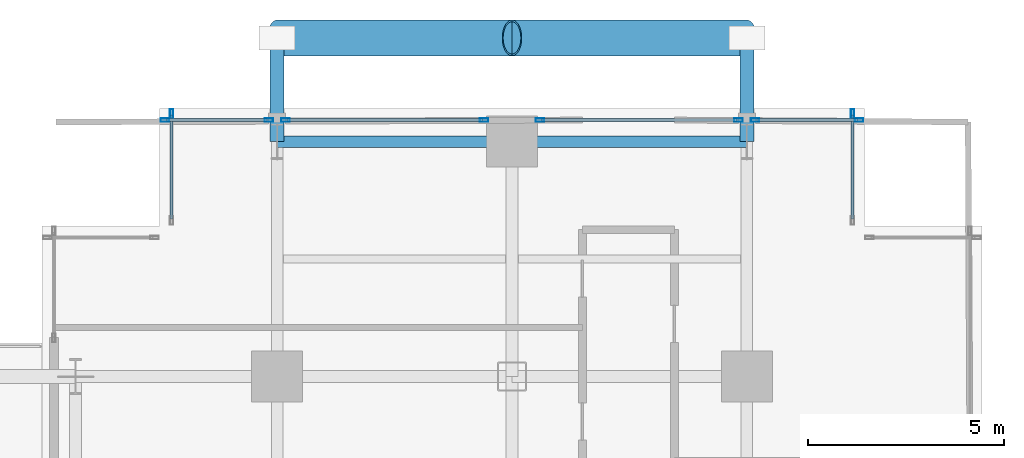
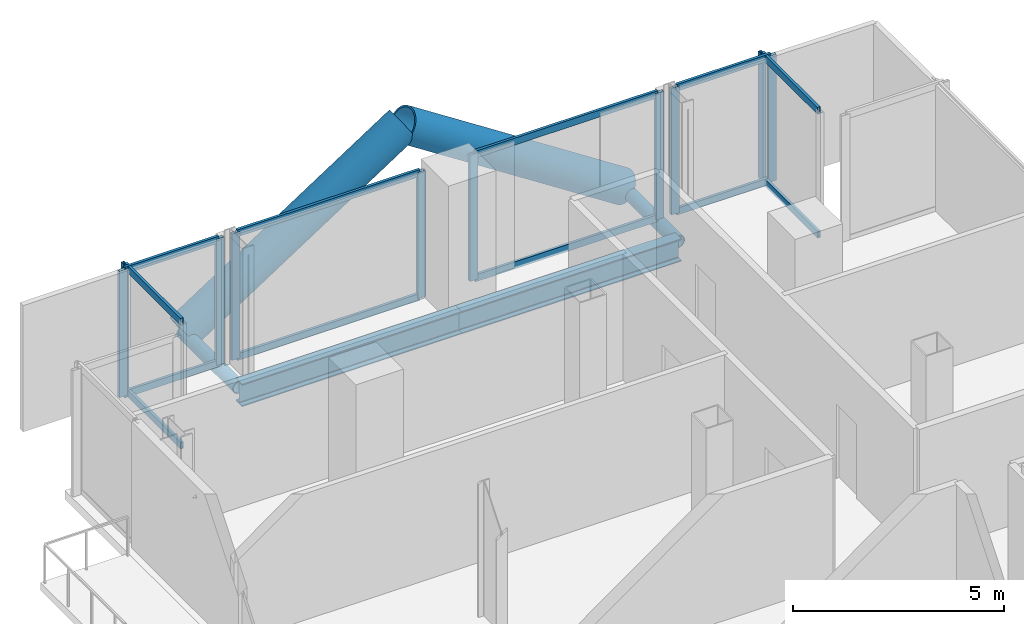
# One storey, part 16 of 27: 26 members, 2 beams, 6 elements without a shape of their own.
"""IFC4 building model written with IfcOpenShell, lengths in metres."""

from ifc_helpers import new_model, si_unit, direction, frame, origin, origin_2d, place, context, subcontext, project, spatial, hollow_rectangle, hollow_circle, i_section, extrude, material, layer, layer_set, material_profile, profile_set, type_object, element, aggregate, save


model = new_model("IFC4")

# Units and contexts
model_context = context("Model", 3, precision=1e-05, world=origin(), true_north=direction((0.0, 1.0)))
body_context = subcontext(model_context, "Body", "Model", "MODEL_VIEW")
ifc_project = project(units=[si_unit("LENGTHUNIT", "METRE"), si_unit("AREAUNIT", "SQUARE_METRE"), si_unit("VOLUMEUNIT", "CUBIC_METRE"), si_unit("PLANEANGLEUNIT", "RADIAN"), si_unit("MASSUNIT", "GRAM", prefix="KILO"), si_unit("THERMODYNAMICTEMPERATUREUNIT", "KELVIN"), si_unit("POWERUNIT", "WATT")], contexts=[model_context])

# Site, building, storey
site_placement = place(None, origin())
site = spatial("IfcSite", under=ifc_project, at=site_placement, CompositionType="ELEMENT")
building_placement = place(site_placement, origin())
building = spatial("IfcBuilding", under=site, at=building_placement, Name="Svarakhadi Broadcast Tower", CompositionType="ELEMENT")
storey_placement = place(building_placement, frame((0.0, 0.0, 55.800048828125)))
storey = spatial("IfcBuildingStorey", under=building, at=storey_placement, Name="L12", CompositionType="ELEMENT", Elevation=55.800048828125)

# Curtain wall, member
ifc_material_1 = material(Name="Anodised Bronze Aluminium AA 6063-T6", Category="aluminium")
ifc_layer = layer(ifc_material_1, 0.219970703125)
ifc_layer_set = layer_set([ifc_layer], Name="Anodised Bronze Aluminium AA 6063-T6")
curtain_wall_type = type_object("IfcCurtainWallType", Name="CW_Sys_02", PredefinedType="NOTDEFINED", material=ifc_layer_set)
curtain_wall_1_placement = place(storey_placement, origin())
curtain_wall_1 = element("IfcCurtainWall", 1, at=curtain_wall_1_placement, inside=storey, type_object=curtain_wall_type, Name="L12 Unitised Facade Curtain Wall 05", PredefinedType="NOTDEFINED")
ifc_material_profile_1 = material_profile(ifc_material_1, hollow_rectangle(XDim=0.0849609375, YDim=0.219970703125, WallThickness=0.006103515625, at=origin_2d()), Name="ALU MULLION 220x85x6")
ifc_profile_set_1 = profile_set([ifc_material_profile_1], Name="Anodised Bronze Aluminium AA 6063-T6")
member_type_1 = type_object("IfcMemberType", Name="CW_Sys_02_Mul", PredefinedType="MULLION", material=ifc_profile_set_1)
member_1_placement = place(storey_placement, frame((3.300048828125, 47.867431640625, 0.0), z_axis=(0.0, 0.0, 1.0), x_axis=(-1.0, 0.0, 0.0)))
member_1 = element("IfcMember", 2, at=member_1_placement, type_object=member_type_1, Name="CW-02 mullion 2", PredefinedType="MULLION", context=body_context, shape_type="SweptSolid", body=[
    extrude(hollow_rectangle(XDim=0.0849609375, YDim=0.219970703125, WallThickness=0.006103515625, at=origin_2d()), origin(), (0.0, 0.0, 1.0), 3.64990234375),
])

# Curtain wall, members
curtain_wall_2_placement = place(storey_placement, origin())
curtain_wall_2 = element("IfcCurtainWall", 3, at=curtain_wall_2_placement, inside=storey, type_object=curtain_wall_type, Name="L12 Unitised Facade Curtain Wall 06 Bay 1", PredefinedType="NOTDEFINED")
member_2_placement = place(storey_placement, frame((3.132568359375, 47.699951171875, 0.0), z_axis=(0.0, 0.0, 1.0), x_axis=(0.0, 1.0, 0.0)))
member_2 = element("IfcMember", 4, at=member_2_placement, type_object=member_type_1, Name="CW-02 mullion 1", PredefinedType="MULLION", context=body_context, shape_type="SweptSolid", body=[
    extrude(hollow_rectangle(XDim=0.0849609375, YDim=0.219970703125, WallThickness=0.006103515625, at=origin_2d()), origin(), (0.0, 0.0, 1.0), 3.64990234375),
])
member_3_placement = place(storey_placement, frame((5.78759765625, 47.699951171875, 0.0), z_axis=(0.0, 0.0, 1.0), x_axis=(0.0, 1.0, 0.0)))
member_3 = element("IfcMember", 5, at=member_3_placement, type_object=member_type_1, Name="CW-02 mullion 2", PredefinedType="MULLION", context=body_context, shape_type="SweptSolid", body=[
    extrude(hollow_rectangle(XDim=0.0849609375, YDim=0.219970703125, WallThickness=0.006103515625, at=origin_2d()), origin(), (0.0, 0.0, 1.0), 3.64990234375),
])

curtain_wall_3_placement = place(storey_placement, origin())
curtain_wall_3 = element("IfcCurtainWall", 6, at=curtain_wall_3_placement, inside=storey, type_object=curtain_wall_type, Name="L12 Unitised Facade Curtain Wall 06 Bay 2", PredefinedType="NOTDEFINED")
member_4_placement = place(storey_placement, frame((6.21240234375, 47.699951171875, 0.0), z_axis=(0.0, 0.0, 1.0), x_axis=(0.0, 1.0, 0.0)))
member_4 = element("IfcMember", 7, at=member_4_placement, type_object=member_type_1, Name="CW-02 mullion 1", PredefinedType="MULLION", context=body_context, shape_type="SweptSolid", body=[
    extrude(hollow_rectangle(XDim=0.0849609375, YDim=0.219970703125, WallThickness=0.006103515625, at=origin_2d()), origin(), (0.0, 0.0, 1.0), 3.64990234375),
])
member_5_placement = place(storey_placement, frame((11.28759765625, 47.699951171875, 0.0), z_axis=(0.0, 0.0, 1.0), x_axis=(0.0, 1.0, 0.0)))
member_5 = element("IfcMember", 8, at=member_5_placement, type_object=member_type_1, Name="CW-02 mullion 2", PredefinedType="MULLION", context=body_context, shape_type="SweptSolid", body=[
    extrude(hollow_rectangle(XDim=0.0849609375, YDim=0.219970703125, WallThickness=0.006103515625, at=origin_2d()), origin(), (0.0, 0.0, 1.0), 3.64990234375),
])

curtain_wall_4_placement = place(storey_placement, origin())
curtain_wall_4 = element("IfcCurtainWall", 9, at=curtain_wall_4_placement, inside=storey, type_object=curtain_wall_type, Name="L12 Unitised Facade Curtain Wall 06 Bay 3", PredefinedType="NOTDEFINED")
member_6_placement = place(storey_placement, frame((12.71240234375, 47.699951171875, 0.0), z_axis=(0.0, 0.0, 1.0), x_axis=(0.0, 1.0, 0.0)))
member_6 = element("IfcMember", 10, at=member_6_placement, type_object=member_type_1, Name="CW-02 mullion 1", PredefinedType="MULLION", context=body_context, shape_type="SweptSolid", body=[
    extrude(hollow_rectangle(XDim=0.0849609375, YDim=0.219970703125, WallThickness=0.006103515625, at=origin_2d()), origin(), (0.0, 0.0, 1.0), 3.64990234375),
])
member_7_placement = place(storey_placement, frame((17.78759765625, 47.699951171875, 0.0), z_axis=(0.0, 0.0, 1.0), x_axis=(0.0, 1.0, 0.0)))
member_7 = element("IfcMember", 11, at=member_7_placement, type_object=member_type_1, Name="CW-02 mullion 2", PredefinedType="MULLION", context=body_context, shape_type="SweptSolid", body=[
    extrude(hollow_rectangle(XDim=0.0849609375, YDim=0.219970703125, WallThickness=0.006103515625, at=origin_2d()), origin(), (0.0, 0.0, 1.0), 3.64990234375),
])

curtain_wall_5_placement = place(storey_placement, origin())
curtain_wall_5 = element("IfcCurtainWall", 12, at=curtain_wall_5_placement, inside=storey, type_object=curtain_wall_type, Name="L12 Unitised Facade Curtain Wall 06 Bay 4", PredefinedType="NOTDEFINED")
member_8_placement = place(storey_placement, frame((18.21240234375, 47.699951171875, 0.0), z_axis=(0.0, 0.0, 1.0), x_axis=(0.0, 1.0, 0.0)))
member_8 = element("IfcMember", 13, at=member_8_placement, type_object=member_type_1, Name="CW-02 mullion 1", PredefinedType="MULLION", context=body_context, shape_type="SweptSolid", body=[
    extrude(hollow_rectangle(XDim=0.0849609375, YDim=0.219970703125, WallThickness=0.006103515625, at=origin_2d()), origin(), (0.0, 0.0, 1.0), 3.64990234375),
])
member_9_placement = place(storey_placement, frame((20.867431640625, 47.699951171875, 0.0), z_axis=(0.0, 0.0, 1.0), x_axis=(0.0, 1.0, 0.0)))
member_9 = element("IfcMember", 14, at=member_9_placement, type_object=member_type_1, Name="CW-02 mullion 2", PredefinedType="MULLION", context=body_context, shape_type="SweptSolid", body=[
    extrude(hollow_rectangle(XDim=0.0849609375, YDim=0.219970703125, WallThickness=0.006103515625, at=origin_2d()), origin(), (0.0, 0.0, 1.0), 3.64990234375),
])

# Curtain wall, member
curtain_wall_6_placement = place(storey_placement, origin())
curtain_wall_6 = element("IfcCurtainWall", 15, at=curtain_wall_6_placement, inside=storey, type_object=curtain_wall_type, Name="L12 Unitised Facade Curtain Wall 07", PredefinedType="NOTDEFINED")
member_10_placement = place(storey_placement, frame((20.699951171875, 47.867431640625, 0.0), z_axis=(0.0, 0.0, 1.0), x_axis=(1.0, 0.0, 0.0)))
member_10 = element("IfcMember", 16, at=member_10_placement, type_object=member_type_1, Name="CW-02 mullion 1", PredefinedType="MULLION", context=body_context, shape_type="SweptSolid", body=[
    extrude(hollow_rectangle(XDim=0.0849609375, YDim=0.219970703125, WallThickness=0.006103515625, at=origin_2d()), origin(), (0.0, 0.0, 1.0), 3.64990234375),
])

# Member
ifc_material_profile_2 = material_profile(ifc_material_1, hollow_rectangle(XDim=0.074951171875, YDim=0.199951171875, WallThickness=0.0048828125, at=origin_2d()), Name="ALU TRANSOM 200x75x5")
ifc_profile_set_2 = profile_set([ifc_material_profile_2], Name="Anodised Bronze Aluminium AA 6063-T6")
member_type_2 = type_object("IfcMemberType", Name="CW_Sys_02_Trn", PredefinedType="USERDEFINED", material=ifc_profile_set_2)
member_11_placement = place(storey_placement, frame((3.300048828125, 45.175048828125, 0.037353515625), z_axis=(0.0, 1.0, 0.0), x_axis=(-1.0, 0.0, 0.0)))
member_11 = element("IfcMember", 17, at=member_11_placement, type_object=member_type_2, Name="CW-02 transom 1.1", ObjectType="TRANSOM", PredefinedType="USERDEFINED", context=body_context, shape_type="SweptSolid", body=[
    extrude(hollow_rectangle(XDim=0.074951171875, YDim=0.199951171875, WallThickness=0.0048828125, at=origin_2d()), origin(), (0.0, 0.0, 1.0), 2.64990234375),
])

member_12_placement = place(storey_placement, frame((3.300048828125, 45.175048828125, 3.612548828125), z_axis=(0.0, 1.0, 0.0), x_axis=(-1.0, 0.0, 0.0)))
member_12 = element("IfcMember", 18, at=member_12_placement, type_object=member_type_2, Name="CW-02 transom 1.2", ObjectType="TRANSOM", PredefinedType="USERDEFINED", context=body_context, shape_type="SweptSolid", body=[
    extrude(hollow_rectangle(XDim=0.074951171875, YDim=0.199951171875, WallThickness=0.0048828125, at=origin_2d()), origin(), (0.0, 0.0, 1.0), 2.64990234375),
])

aggregate(curtain_wall_1, [member_1, member_11, member_12])

member_13_placement = place(storey_placement, frame((3.175048828125, 47.699951171875, 0.037353515625), z_axis=(1.0, 0.0, 0.0), x_axis=(0.0, 1.0, 0.0)))
member_13 = element("IfcMember", 19, at=member_13_placement, type_object=member_type_2, Name="CW-02 transom 1.1", ObjectType="TRANSOM", PredefinedType="USERDEFINED", context=body_context, shape_type="SweptSolid", body=[
    extrude(hollow_rectangle(XDim=0.074951171875, YDim=0.199951171875, WallThickness=0.0048828125, at=origin_2d()), origin(), (0.0, 0.0, 1.0), 2.570068359375),
])

member_14_placement = place(storey_placement, frame((3.175048828125, 47.699951171875, 3.612548828125), z_axis=(1.0, 0.0, 0.0), x_axis=(0.0, 1.0, 0.0)))
member_14 = element("IfcMember", 20, at=member_14_placement, type_object=member_type_2, Name="CW-02 transom 1.2", ObjectType="TRANSOM", PredefinedType="USERDEFINED", context=body_context, shape_type="SweptSolid", body=[
    extrude(hollow_rectangle(XDim=0.074951171875, YDim=0.199951171875, WallThickness=0.0048828125, at=origin_2d()), origin(), (0.0, 0.0, 1.0), 2.570068359375),
])

aggregate(curtain_wall_2, [member_2, member_3, member_13, member_14])

member_15_placement = place(storey_placement, frame((6.2548828125, 47.699951171875, 0.037353515625), z_axis=(1.0, 0.0, 0.0), x_axis=(0.0, 1.0, 0.0)))
member_15 = element("IfcMember", 21, at=member_15_placement, type_object=member_type_2, Name="CW-02 transom 1.1", ObjectType="TRANSOM", PredefinedType="USERDEFINED", context=body_context, shape_type="SweptSolid", body=[
    extrude(hollow_rectangle(XDim=0.074951171875, YDim=0.199951171875, WallThickness=0.0048828125, at=origin_2d()), origin(), (0.0, 0.0, 1.0), 4.990234375),
])

member_16_placement = place(storey_placement, frame((6.2548828125, 47.699951171875, 3.612548828125), z_axis=(1.0, 0.0, 0.0), x_axis=(0.0, 1.0, 0.0)))
member_16 = element("IfcMember", 22, at=member_16_placement, type_object=member_type_2, Name="CW-02 transom 1.2", ObjectType="TRANSOM", PredefinedType="USERDEFINED", context=body_context, shape_type="SweptSolid", body=[
    extrude(hollow_rectangle(XDim=0.074951171875, YDim=0.199951171875, WallThickness=0.0048828125, at=origin_2d()), origin(), (0.0, 0.0, 1.0), 4.990234375),
])

aggregate(curtain_wall_3, [member_4, member_5, member_15, member_16])

member_17_placement = place(storey_placement, frame((12.7548828125, 47.699951171875, 0.037353515625), z_axis=(1.0, 0.0, 0.0), x_axis=(0.0, 1.0, 0.0)))
member_17 = element("IfcMember", 23, at=member_17_placement, type_object=member_type_2, Name="CW-02 transom 1.1", ObjectType="TRANSOM", PredefinedType="USERDEFINED", context=body_context, shape_type="SweptSolid", body=[
    extrude(hollow_rectangle(XDim=0.074951171875, YDim=0.199951171875, WallThickness=0.0048828125, at=origin_2d()), origin(), (0.0, 0.0, 1.0), 4.990234375),
])

member_18_placement = place(storey_placement, frame((12.7548828125, 47.699951171875, 3.612548828125), z_axis=(1.0, 0.0, 0.0), x_axis=(0.0, 1.0, 0.0)))
member_18 = element("IfcMember", 24, at=member_18_placement, type_object=member_type_2, Name="CW-02 transom 1.2", ObjectType="TRANSOM", PredefinedType="USERDEFINED", context=body_context, shape_type="SweptSolid", body=[
    extrude(hollow_rectangle(XDim=0.074951171875, YDim=0.199951171875, WallThickness=0.0048828125, at=origin_2d()), origin(), (0.0, 0.0, 1.0), 4.990234375),
])

aggregate(curtain_wall_4, [member_6, member_7, member_17, member_18])

member_19_placement = place(storey_placement, frame((18.2548828125, 47.699951171875, 0.037353515625), z_axis=(1.0, 0.0, 0.0), x_axis=(0.0, 1.0, 0.0)))
member_19 = element("IfcMember", 25, at=member_19_placement, type_object=member_type_2, Name="CW-02 transom 1.1", ObjectType="TRANSOM", PredefinedType="USERDEFINED", context=body_context, shape_type="SweptSolid", body=[
    extrude(hollow_rectangle(XDim=0.074951171875, YDim=0.199951171875, WallThickness=0.0048828125, at=origin_2d()), origin(), (0.0, 0.0, 1.0), 2.570068359375),
])

member_20_placement = place(storey_placement, frame((18.2548828125, 47.699951171875, 3.612548828125), z_axis=(1.0, 0.0, 0.0), x_axis=(0.0, 1.0, 0.0)))
member_20 = element("IfcMember", 26, at=member_20_placement, type_object=member_type_2, Name="CW-02 transom 1.2", ObjectType="TRANSOM", PredefinedType="USERDEFINED", context=body_context, shape_type="SweptSolid", body=[
    extrude(hollow_rectangle(XDim=0.074951171875, YDim=0.199951171875, WallThickness=0.0048828125, at=origin_2d()), origin(), (0.0, 0.0, 1.0), 2.570068359375),
])

aggregate(curtain_wall_5, [member_8, member_9, member_19, member_20])

member_21_placement = place(storey_placement, frame((20.699951171875, 47.824951171875, 0.037353515625), z_axis=(0.0, -1.0, 0.0), x_axis=(1.0, 0.0, 0.0)))
member_21 = element("IfcMember", 27, at=member_21_placement, type_object=member_type_2, Name="CW-02 transom 1.1", ObjectType="TRANSOM", PredefinedType="USERDEFINED", context=body_context, shape_type="SweptSolid", body=[
    extrude(hollow_rectangle(XDim=0.074951171875, YDim=0.199951171875, WallThickness=0.0048828125, at=origin_2d()), origin(), (0.0, 0.0, 1.0), 2.64990234375),
])

member_22_placement = place(storey_placement, frame((20.699951171875, 47.824951171875, 3.612548828125), z_axis=(0.0, -1.0, 0.0), x_axis=(1.0, 0.0, 0.0)))
member_22 = element("IfcMember", 28, at=member_22_placement, type_object=member_type_2, Name="CW-02 transom 1.2", ObjectType="TRANSOM", PredefinedType="USERDEFINED", context=body_context, shape_type="SweptSolid", body=[
    extrude(hollow_rectangle(XDim=0.074951171875, YDim=0.199951171875, WallThickness=0.0048828125, at=origin_2d()), origin(), (0.0, 0.0, 1.0), 2.64990234375),
])

aggregate(curtain_wall_6, [member_10, member_21, member_22])

# Members
ifc_material_2 = material(Name="Steel S460ML (IS 2062 E450BR)", Category="steel")
ifc_material_profile_3 = material_profile(ifc_material_2, hollow_circle(Radius=0.45703125, WallThickness=0.044921875, at=origin_2d()), Name="CHS 914x45")
ifc_profile_set_3 = profile_set([ifc_material_profile_3], Name="Steel S460ML (IS 2062 E450BR)")
member_type_3 = type_object("IfcMemberType", Name="Exo_Brace_CHS914", PredefinedType="BRACE", material=ifc_profile_set_3)
for number, where, z_axis, x_axis, name in (
    (29, (6.0, 49.800048828125, -0.427734375), (0.838449851971, 0.0, 0.544978757136), (0.0, 1.0, 0.0), "L12 Exposed Bronze Exoskeleton Diagonal N12"),
    (30, (18.0, 49.800048828125, -0.427734375), (-0.838449851971, 0.0, 0.544978757136), (0.0, -1.0, 0.0), "L12 Exposed Bronze Exoskeleton Diagonal N13"),
):
    element("IfcMember", number, at=place(storey_placement, frame(where, z_axis=z_axis, x_axis=x_axis)), inside=storey, type_object=member_type_3, Name=name, PredefinedType="BRACE", context=body_context, shape_type="SweptSolid", body=[
        extrude(hollow_circle(Radius=0.45703125, WallThickness=0.044921875, at=origin_2d()), origin(), (0.0, 0.0, 1.0), 7.156005859375),
    ])
ifc_material_profile_4 = material_profile(ifc_material_2, hollow_circle(Radius=0.177734375, WallThickness=0.02001953125, at=origin_2d()), Name="CHS 355.6x20")
ifc_profile_set_4 = profile_set([ifc_material_profile_4], Name="Steel S460ML (IS 2062 E450BR)")
member_type_4 = type_object("IfcMemberType", Name="Exo_Radial_Strut_Z1", PredefinedType="STRUT", material=ifc_profile_set_4)
for number, where, z_axis, x_axis, name in (
    (31, (6.0, 49.800048828125, -0.427734375), (0.0, -1.0, 0.0), (1.0, 0.0, 0.0), "L12 Exoskeleton Radial Tie Strut N11"),
    (32, (18.0, 49.800048828125, -0.427734375), (0.0, -1.0, 0.0), (1.0, 0.0, 0.0), "L12 Exoskeleton Radial Tie Strut N12"),
):
    element("IfcMember", number, at=place(storey_placement, frame(where, z_axis=z_axis, x_axis=x_axis)), inside=storey, type_object=member_type_4, Name=name, PredefinedType="STRUT", context=body_context, shape_type="SweptSolid", body=[
        extrude(hollow_circle(Radius=0.177734375, WallThickness=0.02001953125, at=origin_2d()), origin(), (0.0, 0.0, 1.0), 2.650146484375),
    ])

# Beams
ifc_material_3 = material(Name="Steel S355J2 (IS 2062 E350C)", Category="steel")
ifc_material_profile_5 = material_profile(ifc_material_3, i_section(OverallWidth=0.300048828125, OverallDepth=0.64990234375, WebThickness=0.01611328125, FlangeThickness=0.031005859375, FilletRadius=0.027099609375, at=origin_2d()), Name="WPB 650x300x225")
ifc_profile_set_5 = profile_set([ifc_material_profile_5], Name="Steel S355J2 (IS 2062 E350C)")
beam_type = type_object("IfcBeamType", Name="Girder_WPB650", PredefinedType="USERDEFINED", material=ifc_profile_set_5)
for number, where, z_axis, x_axis, name in (
    (33, (6.0, 47.14990234375, -0.574951171875), (1.0, 0.0, 0.0), (0.0, 1.0, 0.0), "L12 Primary E-W Girder G043"),
    (34, (12.0, 47.14990234375, -0.574951171875), (1.0, 0.0, 0.0), (0.0, 1.0, 0.0), "L12 Primary E-W Girder G044"),
):
    element("IfcBeam", number, at=place(storey_placement, frame(where, z_axis=z_axis, x_axis=x_axis)), inside=storey, type_object=beam_type, Name=name, ObjectType="GIRDER", PredefinedType="USERDEFINED", context=body_context, shape_type="SweptSolid", body=[
        extrude(i_section(OverallWidth=0.300048828125, OverallDepth=0.64990234375, WebThickness=0.01611328125, FlangeThickness=0.031005859375, FilletRadius=0.027099609375, at=origin_2d()), origin(), (0.0, 0.0, 1.0), 6.0),
    ])

save(model, "model.ifc")
